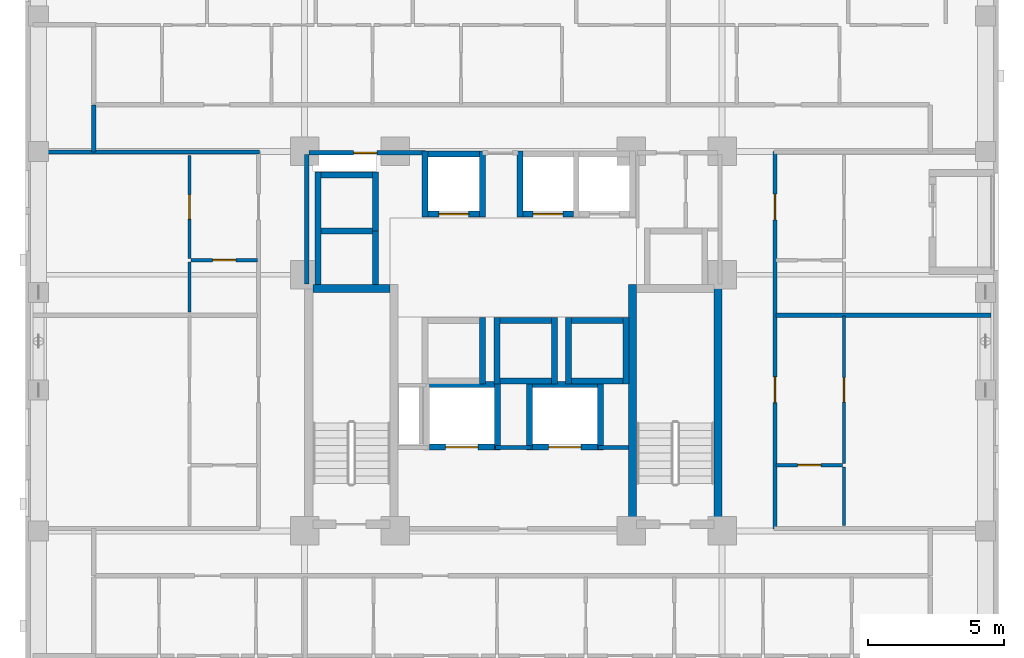
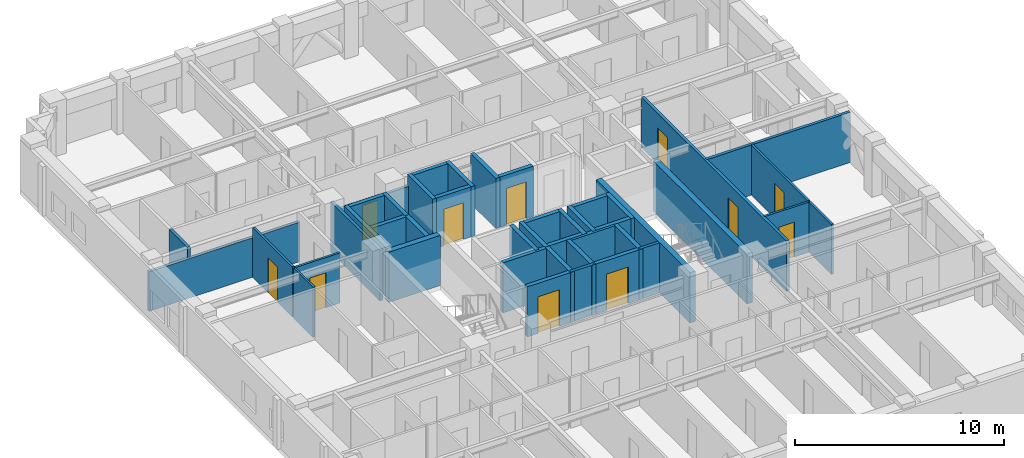
# One storey, part 5 of 12: 44 walls, 11 doors, 11 openings.
"""IFC4 building model written with IfcOpenShell, lengths in metres."""

from ifc_helpers import new_model, si_unit, derived_unit, direction, frame, frame_2d, origin, place, context, subcontext, project, spatial, rectangle, extrude, material, layer, layer_set, type_object, element, fill, save


model = new_model("IFC4")

# Units and contexts
model_context = context("Model", 3, precision=1e-05, world=origin(), true_north=direction((0.0, 1.0)))
body_context = subcontext(model_context, "Body", "Model", "MODEL_VIEW")
ifc_project = project(units=[si_unit("LENGTHUNIT", "METRE"), si_unit("AREAUNIT", "SQUARE_METRE"), si_unit("VOLUMEUNIT", "CUBIC_METRE"), si_unit("PLANEANGLEUNIT", "RADIAN"), si_unit("MASSUNIT", "GRAM", prefix="KILO"), derived_unit("THERMALTRANSMITTANCEUNIT", [(si_unit("MASSUNIT", "GRAM", prefix="KILO"), 1), (si_unit("TIMEUNIT", "SECOND"), -3), (si_unit("THERMODYNAMICTEMPERATUREUNIT", "KELVIN"), -1)])], contexts=[model_context])

# Site, building, storey
site_placement = place(None, origin())
site = spatial("IfcSite", under=ifc_project, at=site_placement, CompositionType="ELEMENT")
building_placement = place(site_placement, origin())
building = spatial("IfcBuilding", under=site, at=building_placement, Name="Korrvale Station Residences", CompositionType="ELEMENT")
storey_placement = place(building_placement, frame((0.0, 0.0, 113.5)))
storey = spatial("IfcBuildingStorey", under=building, at=storey_placement, Name="L32", CompositionType="ELEMENT", Elevation=113.5)

# Walls
ifc_material_1 = material(Name="Concrete C60/75", Category="concrete")
ifc_layer_1 = layer(ifc_material_1, 0.300048828125, Name="Concrete C60/75")
ifc_layer_set_1 = layer_set([ifc_layer_1], Name="Concrete C60/75")
wall_type_1 = type_object("IfcWallType", Name="WAL-CORE-300-C60", PredefinedType="SHEAR", material=ifc_layer_set_1)
wall_1_placement = place(storey_placement, frame((18.10009765625, 23.949951171875, 0.0), z_axis=(0.0, 0.0, 1.0), x_axis=(1.0, 0.0, 0.0)))
element("IfcWall", 1, at=wall_1_placement, inside=storey, type_object=wall_type_1, Name="L32 ST-1 Core Shear Wall North", PredefinedType="SHEAR", context=body_context, shape_type="SweptSolid", body=[
    extrude(rectangle(XDim=2.849853515625, YDim=0.300048828125, at=frame_2d((1.4248046875, 0.0))), origin(), (0.0, 0.0, 1.0), 2.93994140625),
])
for number, where, z_axis, x_axis, name in (
    (2, (29.89990234375, 15.10009765625, 0.0), (0.0, 0.0, 1.0), (0.0, 1.0, 0.0), "L32 ST-2 Core Shear Wall West"),
    (3, (33.050048828125, 15.10009765625, 0.0), (0.0, 0.0, 1.0), (0.0, 1.0, 0.0), "L32 ST-2 Core Shear Wall East"),
):
    element("IfcWall", number, at=place(storey_placement, frame(where, z_axis=z_axis, x_axis=x_axis)), inside=storey, type_object=wall_type_1, Name=name, PredefinedType="SHEAR", context=body_context, shape_type="SweptSolid", body=[
        extrude(rectangle(XDim=9.0, YDim=0.300048828125, at=frame_2d((4.5, 0.0))), origin(), (0.0, 0.0, 1.0), 2.93994140625),
    ])

# Wall, opening, door
ifc_material_2 = material(Name="Acoustic steel-stud gypsum board partition", Category="steel")
ifc_layer_2 = layer(ifc_material_2, 0.1201171875, Name="Acoustic steel-stud gypsum board partition")
ifc_layer_set_2 = layer_set([ifc_layer_2], Name="Acoustic steel-stud gypsum board partition")
wall_type_2 = type_object("IfcWallType", Name="WAL-PART-125", PredefinedType="PARTITIONING", material=ifc_layer_set_2)
wall_2_placement = place(storey_placement, frame((13.610107421875, 24.991943359375, 0.0), z_axis=(0.0, 0.0, 1.0), x_axis=(1.0, 0.0, 0.0)))
wall_2 = element("IfcWall", 4, at=wall_2_placement, inside=storey, type_object=wall_type_2, Name="L32 Suite Partition U06-H01", PredefinedType="PARTITIONING", context=body_context, shape_type="SweptSolid", body=[
    extrude(rectangle(XDim=2.449951171875, YDim=0.1201171875, at=frame_2d((1.22509765625, 0.0))), origin(), (0.0, 0.0, 1.0), 2.93994140625),
])
opening_1_placement = place(wall_2_placement, frame((0.794921875, 0.0, 0.0)))
opening_1 = element("IfcOpeningElement", 5, at=opening_1_placement, cuts=wall_2, Name="Opening DB-860", PredefinedType="OPENING", context=body_context, shape_type="SweptSolid", body=[
    extrude(rectangle(XDim=0.860107421875, YDim=2.050048828125, at=frame_2d((0.43017578125, 1.02490234375))), frame((0.0, 0.070068359375, 0.0), z_axis=(0.0, -1.0, 0.0), x_axis=(1.0, 0.0, 0.0)), (0.0, 0.0, 1.0), 0.14013671875),
])
ifc_material_3 = material(Name="Moisture-resistant solid-core bathroom door", Category="timber")
door_type_1 = type_object("IfcDoorType", Name="DR-BATH-860", OperationType="NOTDEFINED", PredefinedType="DOOR", material=ifc_material_3)
door_1_placement = place(opening_1_placement, origin())
door_1 = element("IfcDoor", 6, at=door_1_placement, inside=storey, type_object=door_type_1, Name="L32 Studio Apartment L32-U06 Bathroom Door", OperationType="SINGLE_SWING_RIGHT", OverallHeight=2.050048828125, OverallWidth=0.860107421875, PredefinedType="DOOR", context=body_context, shape_type="SweptSolid", body=[
    extrude(rectangle(XDim=0.860107421875, YDim=2.050048828125, at=frame_2d((0.43017578125, 1.02490234375))), frame((0.0, 0.02490234375, 0.0), z_axis=(0.0, -1.0, 0.0), x_axis=(1.0, 0.0, 0.0)), (0.0, 0.0, 1.0), 0.050048828125),
])
fill(opening_1, door_1)

# Wall
wall_3_placement = place(storey_placement, frame((13.550048828125, 23.08203125, 0.0), z_axis=(0.0, 0.0, 1.0), x_axis=(0.0, 1.0, 0.0)))
element("IfcWall", 7, at=wall_3_placement, inside=storey, type_object=wall_type_2, Name="L32 Suite Partition U06-V02", PredefinedType="PARTITIONING", context=body_context, shape_type="SweptSolid", body=[
    extrude(rectangle(XDim=1.849853515625, YDim=0.1201171875, at=frame_2d((0.9248046875, 0.0))), origin(), (0.0, 0.0, 1.0), 2.93994140625),
])

# Wall, opening, door
wall_4_placement = place(storey_placement, frame((13.550048828125, 25.052001953125, 0.0), z_axis=(0.0, 0.0, 1.0), x_axis=(0.0, 1.0, 0.0)))
wall_4 = element("IfcWall", 8, at=wall_4_placement, inside=storey, type_object=wall_type_2, Name="L32 Suite Partition U06-V12", PredefinedType="PARTITIONING", context=body_context, shape_type="SweptSolid", body=[
    extrude(rectangle(XDim=3.80810546875, YDim=0.1201171875, at=frame_2d((1.904052734375, 0.0))), origin(), (0.0, 0.0, 1.0), 2.93994140625),
])
opening_2_placement = place(wall_4_placement, frame((1.4541015625, 0.0, 0.0)))
opening_2 = element("IfcOpeningElement", 9, at=opening_2_placement, cuts=wall_4, Name="Opening DI-900", PredefinedType="OPENING", context=body_context, shape_type="SweptSolid", body=[
    extrude(rectangle(XDim=0.89990234375, YDim=2.050048828125, at=frame_2d((0.449951171875, 1.02490234375))), frame((0.0, 0.070068359375, 0.0), z_axis=(0.0, -1.0, 0.0), x_axis=(1.0, 0.0, 0.0)), (0.0, 0.0, 1.0), 0.14013671875),
])
ifc_material_4 = material(Name="Painted solid-core timber interior room door", Category="wood")
door_type_2 = type_object("IfcDoorType", Name="DR-INT-900", OperationType="NOTDEFINED", PredefinedType="DOOR", material=ifc_material_4)
door_2_placement = place(opening_2_placement, origin())
door_2 = element("IfcDoor", 10, at=door_2_placement, inside=storey, type_object=door_type_2, Name="L32 Studio Apartment L32-U06 Kitchen Door", OperationType="SINGLE_SWING_LEFT", OverallHeight=2.050048828125, OverallWidth=0.89990234375, PredefinedType="DOOR", context=body_context, shape_type="SweptSolid", body=[
    extrude(rectangle(XDim=0.89990234375, YDim=2.050048828125, at=frame_2d((0.449951171875, 1.02490234375))), frame((0.0, 0.02490234375, 0.0), z_axis=(0.0, -1.0, 0.0), x_axis=(1.0, 0.0, 0.0)), (0.0, 0.0, 1.0), 0.050048828125),
])
fill(opening_2, door_2)

wall_5_placement = place(storey_placement, frame((35.18994140625, 17.428955078125, 0.0), z_axis=(0.0, 0.0, 1.0), x_axis=(1.0, 0.0, 0.0)))
wall_5 = element("IfcWall", 11, at=wall_5_placement, inside=storey, type_object=wall_type_2, Name="L32 Suite Partition U07-H01", PredefinedType="PARTITIONING", context=body_context, shape_type="SweptSolid", body=[
    extrude(rectangle(XDim=2.449951171875, YDim=0.1201171875, at=frame_2d((1.22509765625, 0.0))), origin(), (0.0, 0.0, 1.0), 2.93994140625),
])
opening_3_placement = place(wall_5_placement, frame((0.794921875, 0.0, 0.0)))
opening_3 = element("IfcOpeningElement", 12, at=opening_3_placement, cuts=wall_5, Name="Opening DB-860", PredefinedType="OPENING", context=body_context, shape_type="SweptSolid", body=[
    extrude(rectangle(XDim=0.860107421875, YDim=2.050048828125, at=frame_2d((0.43017578125, 1.02490234375))), frame((0.0, 0.070068359375, 0.0), z_axis=(0.0, -1.0, 0.0), x_axis=(1.0, 0.0, 0.0)), (0.0, 0.0, 1.0), 0.14013671875),
])
door_3_placement = place(opening_3_placement, origin())
door_3 = element("IfcDoor", 13, at=door_3_placement, inside=storey, type_object=door_type_1, Name="L32 Studio Apartment L32-U07 Bathroom Door", OperationType="SINGLE_SWING_RIGHT", OverallHeight=2.050048828125, OverallWidth=0.860107421875, PredefinedType="DOOR", context=body_context, shape_type="SweptSolid", body=[
    extrude(rectangle(XDim=0.860107421875, YDim=2.050048828125, at=frame_2d((0.43017578125, 1.02490234375))), frame((0.0, 0.02490234375, 0.0), z_axis=(0.0, -1.0, 0.0), x_axis=(1.0, 0.0, 0.0)), (0.0, 0.0, 1.0), 0.050048828125),
])
fill(opening_3, door_3)

# Wall
wall_6_placement = place(storey_placement, frame((37.699951171875, 15.2099609375, 0.0), z_axis=(0.0, 0.0, 1.0), x_axis=(0.0, 1.0, 0.0)))
element("IfcWall", 14, at=wall_6_placement, inside=storey, type_object=wall_type_2, Name="L32 Suite Partition U07-V02", PredefinedType="PARTITIONING", context=body_context, shape_type="SweptSolid", body=[
    extrude(rectangle(XDim=2.158935546875, YDim=0.1201171875, at=frame_2d((1.07958984375, 0.0))), origin(), (0.0, 0.0, 1.0), 2.93994140625),
])

# Wall, opening, door
wall_7_placement = place(storey_placement, frame((37.699951171875, 17.489013671875, 0.0), z_axis=(0.0, 0.0, 1.0), x_axis=(0.0, 1.0, 0.0)))
wall_7 = element("IfcWall", 15, at=wall_7_placement, inside=storey, type_object=wall_type_2, Name="L32 Suite Partition U07-V12", PredefinedType="PARTITIONING", context=body_context, shape_type="SweptSolid", body=[
    extrude(rectangle(XDim=5.43310546875, YDim=0.1201171875, at=frame_2d((2.716552734375, 0.0))), origin(), (0.0, 0.0, 1.0), 2.93994140625),
])
opening_4_placement = place(wall_7_placement, frame((2.26611328125, 0.0, 0.0)))
opening_4 = element("IfcOpeningElement", 16, at=opening_4_placement, cuts=wall_7, Name="Opening DI-900", PredefinedType="OPENING", context=body_context, shape_type="SweptSolid", body=[
    extrude(rectangle(XDim=0.89990234375, YDim=2.050048828125, at=frame_2d((0.449951171875, 1.02490234375))), frame((0.0, 0.070068359375, 0.0), z_axis=(0.0, -1.0, 0.0), x_axis=(1.0, 0.0, 0.0)), (0.0, 0.0, 1.0), 0.14013671875),
])
door_4_placement = place(opening_4_placement, origin())
door_4 = element("IfcDoor", 17, at=door_4_placement, inside=storey, type_object=door_type_2, Name="L32 Studio Apartment L32-U07 Kitchen Door", OperationType="SINGLE_SWING_LEFT", OverallHeight=2.050048828125, OverallWidth=0.89990234375, PredefinedType="DOOR", context=body_context, shape_type="SweptSolid", body=[
    extrude(rectangle(XDim=0.89990234375, YDim=2.050048828125, at=frame_2d((0.449951171875, 1.02490234375))), frame((0.0, 0.02490234375, 0.0), z_axis=(0.0, -1.0, 0.0), x_axis=(1.0, 0.0, 0.0)), (0.0, 0.0, 1.0), 0.050048828125),
])
fill(opening_4, door_4)

# Walls
ifc_material_5 = material(Name="Fire-rated twin-stud gypsum and mineral wool shaftwall assembly", Category="gypsum")
ifc_layer_3 = layer(ifc_material_5, 0.159912109375, Name="Fire-rated twin-stud gypsum and mineral wool shaftwall assembly")
ifc_layer_set_3 = layer_set([ifc_layer_3], Name="Fire-rated twin-stud gypsum and mineral wool shaftwall assembly")
wall_type_3 = type_object("IfcWallType", Name="WAL-PART-200", PredefinedType="PARTITIONING", material=ifc_layer_set_3)
wall_8_placement = place(storey_placement, frame((24.85009765625, 18.080078125, 0.0), z_axis=(0.0, 0.0, 1.0), x_axis=(1.0, 0.0, 0.0)))
element("IfcWall", 18, at=wall_8_placement, inside=storey, type_object=wall_type_3, Name="L32 Core Partition CW-FFL-N2", PredefinedType="PARTITIONING", context=body_context, shape_type="SweptSolid", body=[
    extrude(rectangle(XDim=1.2998046875, YDim=0.159912109375, at=frame_2d((0.64990234375, 0.0))), origin(), (0.0, 0.0, 1.0), 2.93994140625),
])
wall_9_placement = place(storey_placement, frame((28.64990234375, 18.080078125, 0.0), z_axis=(0.0, 0.0, 1.0), x_axis=(1.0, 0.0, 0.0)))
element("IfcWall", 19, at=wall_9_placement, inside=storey, type_object=wall_type_3, Name="L32 Core Partition CW-FFL-N3", PredefinedType="PARTITIONING", context=body_context, shape_type="SweptSolid", body=[
    extrude(rectangle(XDim=1.10009765625, YDim=0.159912109375, at=frame_2d((0.550048828125, 0.0))), origin(), (0.0, 0.0, 1.0), 2.93994140625),
])
wall_10_placement = place(storey_placement, frame((17.8798828125, 24.1201171875, 0.0), z_axis=(0.0, 0.0, 1.0), x_axis=(0.0, 1.0, 0.0)))
element("IfcWall", 20, at=wall_10_placement, inside=storey, type_object=wall_type_3, Name="L32 Core Partition CW-W-N", PredefinedType="PARTITIONING", context=body_context, shape_type="SweptSolid", body=[
    extrude(rectangle(XDim=4.759765625, YDim=0.159912109375, at=frame_2d((2.3798828125, 0.0))), origin(), (0.0, 0.0, 1.0), 2.93994140625),
])

# Wall, opening, door
wall_11_placement = place(storey_placement, frame((17.9599609375, 28.949951171875, 0.0), z_axis=(0.0, 0.0, 1.0), x_axis=(1.0, 0.0, 0.0)))
wall_11 = element("IfcWall", 21, at=wall_11_placement, inside=storey, type_object=wall_type_3, Name="L32 Core Partition CW-NW", PredefinedType="PARTITIONING", context=body_context, shape_type="SweptSolid", body=[
    extrude(rectangle(XDim=4.2900390625, YDim=0.159912109375, at=frame_2d((2.14501953125, 0.0))), origin(), (0.0, 0.0, 1.0), 2.31298828125),
])
opening_5_placement = place(wall_11_placement, frame((1.64501953125, 0.0, 0.0)))
opening_5 = element("IfcOpeningElement", 22, at=opening_5_placement, cuts=wall_11, Name="Opening DB-860", PredefinedType="OPENING", context=body_context, shape_type="SweptSolid", body=[
    extrude(rectangle(XDim=0.860107421875, YDim=2.050048828125, at=frame_2d((0.43017578125, 1.02490234375))), frame((0.0, 0.08984375, 0.0), z_axis=(0.0, -1.0, 0.0), x_axis=(1.0, 0.0, 0.0)), (0.0, 0.0, 1.0), 0.179931640625),
])
door_5_placement = place(opening_5_placement, origin())
door_5 = element("IfcDoor", 23, at=door_5_placement, inside=storey, type_object=door_type_1, Name="L32 Electrical Riser Access Door", OperationType="SINGLE_SWING_RIGHT", OverallHeight=2.050048828125, OverallWidth=0.860107421875, PredefinedType="DOOR", context=body_context, shape_type="SweptSolid", body=[
    extrude(rectangle(XDim=0.860107421875, YDim=2.050048828125, at=frame_2d((0.43017578125, 1.02490234375))), frame((0.0, 0.02490234375, 0.0), z_axis=(0.0, -1.0, 0.0), x_axis=(1.0, 0.0, 0.0)), (0.0, 0.0, 1.0), 0.050048828125),
])
fill(opening_5, door_5)

# Walls
wall_12_placement = place(storey_placement, frame((10.02001953125, 28.97998046875, 0.0), z_axis=(0.0, 0.0, 1.0), x_axis=(0.0, 1.0, 0.0)))
element("IfcWall", 24, at=wall_12_placement, inside=storey, type_object=wall_type_3, Name="L32 Corridor North West Cap", PredefinedType="PARTITIONING", context=body_context, shape_type="SweptSolid", body=[
    extrude(rectangle(XDim=1.739990234375, YDim=0.159912109375, at=frame_2d((0.8701171875, 0.0))), origin(), (0.0, 0.0, 1.0), 2.93994140625),
])
wall_13_placement = place(storey_placement, frame((7.780029296875, 28.97998046875, 0.0), z_axis=(0.0, 0.0, 1.0), x_axis=(1.0, 0.0, 0.0)))
element("IfcWall", 25, at=wall_13_placement, inside=storey, type_object=wall_type_3, Name="L32 West Wing North Corridor Wall", PredefinedType="PARTITIONING", context=body_context, shape_type="SweptSolid", body=[
    extrude(rectangle(XDim=8.35986328125, YDim=0.159912109375, at=frame_2d((4.179931640625, 0.0))), origin(), (0.0, 0.0, 1.0), 2.31298828125),
])
wall_14_placement = place(storey_placement, frame((35.18994140625, 22.9619140625, 0.0), z_axis=(0.0, 0.0, 1.0), x_axis=(1.0, 0.0, 0.0)))
element("IfcWall", 26, at=wall_14_placement, inside=storey, type_object=wall_type_3, Name="L32 Demising Wall U07-N", PredefinedType="PARTITIONING", context=body_context, shape_type="SweptSolid", body=[
    extrude(rectangle(XDim=7.93017578125, YDim=0.159912109375, at=frame_2d((3.965087890625, 0.0))), origin(), (0.0, 0.0, 1.0), 2.93994140625),
])

# Wall, openings, doors
wall_15_placement = place(storey_placement, frame((35.14990234375, 15.070068359375, 0.0), z_axis=(0.0, 0.0, 1.0), x_axis=(0.0, 1.0, 0.0)))
wall_15 = element("IfcWall", 27, at=wall_15_placement, inside=storey, type_object=wall_type_3, Name="L32 Rated Corridor Wall E", PredefinedType="PARTITIONING", context=body_context, shape_type="SweptSolid", body=[
    extrude(rectangle(XDim=13.929931640625, YDim=0.159912109375, at=frame_2d((6.96484375, 0.0))), origin(), (0.0, 0.0, 1.0), 2.93994140625),
])
opening_6_placement = place(wall_15_placement, frame((4.660888671875, 0.0, 0.0)))
opening_6 = element("IfcOpeningElement", 28, at=opening_6_placement, cuts=wall_15, Name="Opening UD-950", PredefinedType="OPENING", context=body_context, shape_type="SweptSolid", body=[
    extrude(rectangle(XDim=0.949951171875, YDim=2.10009765625, at=frame_2d((0.47509765625, 1.050048828125))), frame((0.0, 0.08984375, 0.0), z_axis=(0.0, -1.0, 0.0), x_axis=(1.0, 0.0, 0.0)), (0.0, 0.0, 1.0), 0.179931640625),
])
opening_7_placement = place(wall_15_placement, frame((11.410888671875, 0.0, 0.0)))
opening_7 = element("IfcOpeningElement", 29, at=opening_7_placement, cuts=wall_15, Name="Opening UD-950", PredefinedType="OPENING", context=body_context, shape_type="SweptSolid", body=[
    extrude(rectangle(XDim=0.949951171875, YDim=2.10009765625, at=frame_2d((0.47509765625, 1.050048828125))), frame((0.0, 0.08984375, 0.0), z_axis=(0.0, -1.0, 0.0), x_axis=(1.0, 0.0, 0.0)), (0.0, 0.0, 1.0), 0.179931640625),
])
ifc_material_6 = material(Name="Solid-core acoustic oak apartment entrance door", Category="timber")
door_type_3 = type_object("IfcDoorType", Name="DR-UNIT-950", OperationType="NOTDEFINED", PredefinedType="DOOR", material=ifc_material_6)
door_6_placement = place(opening_6_placement, origin())
door_6 = element("IfcDoor", 30, at=door_6_placement, inside=storey, type_object=door_type_3, Name="L32 Apartment L32-U07 Entrance Door", OperationType="SINGLE_SWING_RIGHT", OverallHeight=2.10009765625, OverallWidth=0.949951171875, PredefinedType="DOOR", context=body_context, shape_type="SweptSolid", body=[
    extrude(rectangle(XDim=0.949951171875, YDim=2.10009765625, at=frame_2d((0.47509765625, 1.050048828125))), frame((0.0, 0.02490234375, 0.0), z_axis=(0.0, -1.0, 0.0), x_axis=(1.0, 0.0, 0.0)), (0.0, 0.0, 1.0), 0.050048828125),
])
fill(opening_6, door_6)
door_7_placement = place(opening_7_placement, origin())
door_7 = element("IfcDoor", 31, at=door_7_placement, inside=storey, type_object=door_type_3, Name="L32 Apartment L32-U08 Entrance Door", OperationType="SINGLE_SWING_LEFT", OverallHeight=2.10009765625, OverallWidth=0.949951171875, PredefinedType="DOOR", context=body_context, shape_type="SweptSolid", body=[
    extrude(rectangle(XDim=0.949951171875, YDim=2.10009765625, at=frame_2d((0.47509765625, 1.050048828125))), frame((0.0, 0.02490234375, 0.0), z_axis=(0.0, -1.0, 0.0), x_axis=(1.0, 0.0, 0.0)), (0.0, 0.0, 1.0), 0.050048828125),
])
fill(opening_7, door_7)

# Wall, opening, door
ifc_layer_4 = layer(ifc_material_1, 0.219970703125, Name="Concrete C60/75")
ifc_layer_set_4 = layer_set([ifc_layer_4], Name="Concrete C60/75")
wall_type_4 = type_object("IfcWallType", Name="WAL-SHAFT-220-C60", PredefinedType="SHEAR", material=ifc_layer_set_4)
wall_16_placement = place(storey_placement, frame((22.35009765625, 26.68994140625, 0.0), z_axis=(0.0, 0.0, 1.0), x_axis=(1.0, 0.0, 0.0)))
wall_16 = element("IfcWall", 32, at=wall_16_placement, inside=storey, type_object=wall_type_4, Name="L32 Elevator PL-1 Hoistway Wall South", PredefinedType="SHEAR", context=body_context, shape_type="SweptSolid", body=[
    extrude(rectangle(XDim=1.89990234375, YDim=0.219970703125, at=frame_2d((0.949951171875, 0.0))), origin(), (0.0, 0.0, 1.0), 2.93994140625),
])
opening_8_placement = place(wall_16_placement, frame((0.39990234375, 0.0, 0.0)))
opening_8 = element("IfcOpeningElement", 33, at=opening_8_placement, cuts=wall_16, Name="Opening LD-1100", PredefinedType="OPENING", context=body_context, shape_type="SweptSolid", body=[
    extrude(rectangle(XDim=1.10009765625, YDim=2.14990234375, at=frame_2d((0.550048828125, 1.074951171875))), frame((0.0, 0.1201171875, 0.0), z_axis=(0.0, -1.0, 0.0), x_axis=(1.0, 0.0, 0.0)), (0.0, 0.0, 1.0), 0.239990234375),
])
ifc_material_7 = material(Name="Brushed stainless-steel elevator landing sliding door", Category="steel")
door_type_4 = type_object("IfcDoorType", Name="DR-LIFT-1100", OperationType="SLIDING_TO_LEFT", PredefinedType="DOOR", material=ifc_material_7)
door_8_placement = place(opening_8_placement, origin())
door_8 = element("IfcDoor", 34, at=door_8_placement, inside=storey, type_object=door_type_4, Name="L32 Elevator PL-1 Sliding Landing Door", OperationType="SLIDING_TO_LEFT", OverallHeight=2.14990234375, OverallWidth=1.10009765625, PredefinedType="DOOR", context=body_context, shape_type="SweptSolid", body=[
    extrude(rectangle(XDim=1.10009765625, YDim=2.14990234375, at=frame_2d((0.550048828125, 1.074951171875))), frame((0.0, 0.02490234375, 0.0), z_axis=(0.0, -1.0, 0.0), x_axis=(1.0, 0.0, 0.0)), (0.0, 0.0, 1.0), 0.050048828125),
])
fill(opening_8, door_8)

# Walls
wall_17_placement = place(storey_placement, frame((22.35009765625, 28.909912109375, 0.0), z_axis=(0.0, 0.0, 1.0), x_axis=(1.0, 0.0, 0.0)))
element("IfcWall", 35, at=wall_17_placement, inside=storey, type_object=wall_type_4, Name="L32 Elevator PL-1 Hoistway Wall North", PredefinedType="SHEAR", context=body_context, shape_type="SweptSolid", body=[
    extrude(rectangle(XDim=1.89990234375, YDim=0.219970703125, at=frame_2d((0.949951171875, 0.0))), origin(), (0.0, 0.0, 1.0), 2.93994140625),
])
for number, where, z_axis, x_axis, name in (
    (36, (22.239990234375, 26.580078125, 0.0), (0.0, 0.0, 1.0), (0.0, 1.0, 0.0), "L32 Elevator PL-1 Hoistway Wall West"),
    (37, (24.360107421875, 26.580078125, 0.0), (0.0, 0.0, 1.0), (0.0, 1.0, 0.0), "L32 Elevator PL-1 Hoistway Wall East"),
):
    element("IfcWall", number, at=place(storey_placement, frame(where, z_axis=z_axis, x_axis=x_axis)), inside=storey, type_object=wall_type_4, Name=name, PredefinedType="SHEAR", context=body_context, shape_type="SweptSolid", body=[
        extrude(rectangle(XDim=2.43994140625, YDim=0.219970703125, at=frame_2d((1.219970703125, 0.0))), origin(), (0.0, 0.0, 1.0), 2.93994140625),
    ])

# Wall, opening, door
wall_18_placement = place(storey_placement, frame((25.85009765625, 26.68994140625, 0.0), z_axis=(0.0, 0.0, 1.0), x_axis=(1.0, 0.0, 0.0)))
wall_18 = element("IfcWall", 38, at=wall_18_placement, inside=storey, type_object=wall_type_4, Name="L32 Elevator PL-2 Hoistway Wall South", PredefinedType="SHEAR", context=body_context, shape_type="SweptSolid", body=[
    extrude(rectangle(XDim=1.85986328125, YDim=0.219970703125, at=frame_2d((0.929931640625, 0.0))), origin(), (0.0, 0.0, 1.0), 2.93994140625),
])
opening_9_placement = place(wall_18_placement, frame((0.3798828125, 0.0, 0.0)))
opening_9 = element("IfcOpeningElement", 39, at=opening_9_placement, cuts=wall_18, Name="Opening LD-1100", PredefinedType="OPENING", context=body_context, shape_type="SweptSolid", body=[
    extrude(rectangle(XDim=1.10009765625, YDim=2.14990234375, at=frame_2d((0.550048828125, 1.074951171875))), frame((0.0, 0.1201171875, 0.0), z_axis=(0.0, -1.0, 0.0), x_axis=(1.0, 0.0, 0.0)), (0.0, 0.0, 1.0), 0.239990234375),
])
door_9_placement = place(opening_9_placement, origin())
door_9 = element("IfcDoor", 40, at=door_9_placement, inside=storey, type_object=door_type_4, Name="L32 Elevator PL-2 Sliding Landing Door", OperationType="SLIDING_TO_LEFT", OverallHeight=2.14990234375, OverallWidth=1.10009765625, PredefinedType="DOOR", context=body_context, shape_type="SweptSolid", body=[
    extrude(rectangle(XDim=1.10009765625, YDim=2.14990234375, at=frame_2d((0.550048828125, 1.074951171875))), frame((0.0, 0.02490234375, 0.0), z_axis=(0.0, -1.0, 0.0), x_axis=(1.0, 0.0, 0.0)), (0.0, 0.0, 1.0), 0.050048828125),
])
fill(opening_9, door_9)

# Walls
wall_19_placement = place(storey_placement, frame((25.739990234375, 26.580078125, 0.0), z_axis=(0.0, 0.0, 1.0), x_axis=(0.0, 1.0, 0.0)))
element("IfcWall", 41, at=wall_19_placement, inside=storey, type_object=wall_type_4, Name="L32 Elevator PL-2 Hoistway Wall West", PredefinedType="SHEAR", context=body_context, shape_type="SweptSolid", body=[
    extrude(rectangle(XDim=2.43994140625, YDim=0.219970703125, at=frame_2d((1.219970703125, 0.0))), origin(), (0.0, 0.0, 1.0), 2.93994140625),
])
wall_20_placement = place(storey_placement, frame((24.360107421875, 20.429931640625, 0.0), z_axis=(0.0, 0.0, 1.0), x_axis=(0.0, 1.0, 0.0)))
element("IfcWall", 42, at=wall_20_placement, inside=storey, type_object=wall_type_4, Name="L32 Elevator PM-1 Hoistway Wall East", PredefinedType="SHEAR", context=body_context, shape_type="SweptSolid", body=[
    extrude(rectangle(XDim=2.440185546875, YDim=0.219970703125, at=frame_2d((1.22021484375, 0.0))), origin(), (0.0, 0.0, 1.0), 2.93994140625),
])
for number, where, z_axis, x_axis, name in (
    (43, (25.0, 20.5400390625, 0.0), (0.0, 0.0, 1.0), (1.0, 0.0, 0.0), "L32 Elevator PM-2 Hoistway Wall South"),
    (44, (25.0, 22.760009765625, 0.0), (0.0, 0.0, 1.0), (1.0, 0.0, 0.0), "L32 Elevator PM-2 Hoistway Wall North"),
):
    element("IfcWall", number, at=place(storey_placement, frame(where, z_axis=z_axis, x_axis=x_axis)), inside=storey, type_object=wall_type_4, Name=name, PredefinedType="SHEAR", context=body_context, shape_type="SweptSolid", body=[
        extrude(rectangle(XDim=1.89990234375, YDim=0.219970703125, at=frame_2d((0.949951171875, 0.0))), origin(), (0.0, 0.0, 1.0), 2.93994140625),
    ])
for number, where, z_axis, x_axis, name in (
    (45, (24.889892578125, 20.429931640625, 0.0), (0.0, 0.0, 1.0), (0.0, 1.0, 0.0), "L32 Elevator PM-2 Hoistway Wall West"),
    (46, (27.010009765625, 20.429931640625, 0.0), (0.0, 0.0, 1.0), (0.0, 1.0, 0.0), "L32 Elevator PM-2 Hoistway Wall East"),
):
    element("IfcWall", number, at=place(storey_placement, frame(where, z_axis=z_axis, x_axis=x_axis)), inside=storey, type_object=wall_type_4, Name=name, PredefinedType="SHEAR", context=body_context, shape_type="SweptSolid", body=[
        extrude(rectangle(XDim=2.440185546875, YDim=0.219970703125, at=frame_2d((1.22021484375, 0.0))), origin(), (0.0, 0.0, 1.0), 2.93994140625),
    ])
for number, where, z_axis, x_axis, name in (
    (47, (27.64990234375, 20.5400390625, 0.0), (0.0, 0.0, 1.0), (1.0, 0.0, 0.0), "L32 Elevator PM-3 Hoistway Wall South"),
    (48, (27.64990234375, 22.760009765625, 0.0), (0.0, 0.0, 1.0), (1.0, 0.0, 0.0), "L32 Elevator PM-3 Hoistway Wall North"),
):
    element("IfcWall", number, at=place(storey_placement, frame(where, z_axis=z_axis, x_axis=x_axis)), inside=storey, type_object=wall_type_4, Name=name, PredefinedType="SHEAR", context=body_context, shape_type="SweptSolid", body=[
        extrude(rectangle(XDim=1.900146484375, YDim=0.219970703125, at=frame_2d((0.9501953125, 0.0))), origin(), (0.0, 0.0, 1.0), 2.93994140625),
    ])
for number, where, z_axis, x_axis, name in (
    (49, (27.5400390625, 20.429931640625, 0.0), (0.0, 0.0, 1.0), (0.0, 1.0, 0.0), "L32 Elevator PM-3 Hoistway Wall West"),
    (50, (29.659912109375, 20.429931640625, 0.0), (0.0, 0.0, 1.0), (0.0, 1.0, 0.0), "L32 Elevator PM-3 Hoistway Wall East"),
):
    element("IfcWall", number, at=place(storey_placement, frame(where, z_axis=z_axis, x_axis=x_axis)), inside=storey, type_object=wall_type_4, Name=name, PredefinedType="SHEAR", context=body_context, shape_type="SweptSolid", body=[
        extrude(rectangle(XDim=2.440185546875, YDim=0.219970703125, at=frame_2d((1.22021484375, 0.0))), origin(), (0.0, 0.0, 1.0), 2.93994140625),
    ])
wall_21_placement = place(storey_placement, frame((18.2900390625, 24.10009765625, 0.0), z_axis=(0.0, 0.0, 1.0), x_axis=(0.0, 1.0, 0.0)))
element("IfcWall", 51, at=wall_21_placement, inside=storey, type_object=wall_type_4, Name="L32 Elevator PH-1 Hoistway Wall West", PredefinedType="SHEAR", context=body_context, shape_type="SweptSolid", body=[
    extrude(rectangle(XDim=4.139892578125, YDim=0.219970703125, at=frame_2d((2.06982421875, 0.0))), origin(), (0.0, 0.0, 1.0), 2.93994140625),
])
wall_22_placement = place(storey_placement, frame((20.409912109375, 24.10009765625, 0.0), z_axis=(0.0, 0.0, 1.0), x_axis=(0.0, 1.0, 0.0)))
element("IfcWall", 52, at=wall_22_placement, inside=storey, type_object=wall_type_4, Name="L32 Elevator PH-1 Hoistway Wall East", PredefinedType="SHEAR", context=body_context, shape_type="SweptSolid", body=[
    extrude(rectangle(XDim=1.9599609375, YDim=0.219970703125, at=frame_2d((0.97998046875, 0.0))), origin(), (0.0, 0.0, 1.0), 2.93994140625),
])
for number, where, z_axis, x_axis, name in (
    (53, (18.39990234375, 26.06005859375, 0.0), (0.0, 0.0, 1.0), (1.0, 0.0, 0.0), "L32 Elevator PH-2 Hoistway Wall South"),
    (54, (18.39990234375, 28.1298828125, 0.0), (0.0, 0.0, 1.0), (1.0, 0.0, 0.0), "L32 Elevator PH-2 Hoistway Wall North"),
):
    element("IfcWall", number, at=place(storey_placement, frame(where, z_axis=z_axis, x_axis=x_axis)), inside=storey, type_object=wall_type_4, Name=name, PredefinedType="SHEAR", context=body_context, shape_type="SweptSolid", body=[
        extrude(rectangle(XDim=1.900146484375, YDim=0.219970703125, at=frame_2d((0.9501953125, 0.0))), origin(), (0.0, 0.0, 1.0), 2.93994140625),
    ])
wall_23_placement = place(storey_placement, frame((20.409912109375, 26.06005859375, 0.0), z_axis=(0.0, 0.0, 1.0), x_axis=(0.0, 1.0, 0.0)))
element("IfcWall", 55, at=wall_23_placement, inside=storey, type_object=wall_type_4, Name="L32 Elevator PH-2 Hoistway Wall East", PredefinedType="SHEAR", context=body_context, shape_type="SweptSolid", body=[
    extrude(rectangle(XDim=2.179931640625, YDim=0.219970703125, at=frame_2d((1.08984375, 0.0))), origin(), (0.0, 0.0, 1.0), 2.93994140625),
])

# Wall, opening, door
wall_24_placement = place(storey_placement, frame((22.39990234375, 18.090087890625, 0.0), z_axis=(0.0, 0.0, 1.0), x_axis=(1.0, 0.0, 0.0)))
wall_24 = element("IfcWall", 56, at=wall_24_placement, inside=storey, type_object=wall_type_4, Name="L32 Elevator FFL-1 Hoistway Wall South", PredefinedType="SHEAR", context=body_context, shape_type="SweptSolid", body=[
    extrude(rectangle(XDim=2.400146484375, YDim=0.219970703125, at=frame_2d((1.2001953125, 0.0))), origin(), (0.0, 0.0, 1.0), 2.93994140625),
])
opening_10_placement = place(wall_24_placement, frame((0.60009765625, 0.0, 0.0)))
opening_10 = element("IfcOpeningElement", 57, at=opening_10_placement, cuts=wall_24, Name="Opening LD-FF1200", PredefinedType="OPENING", context=body_context, shape_type="SweptSolid", body=[
    extrude(rectangle(XDim=1.199951171875, YDim=2.14990234375, at=frame_2d((0.60009765625, 1.074951171875))), frame((0.0, 0.1201171875, 0.0), z_axis=(0.0, -1.0, 0.0), x_axis=(1.0, 0.0, 0.0)), (0.0, 0.0, 1.0), 0.239990234375),
])
ifc_material_8 = material(Name="Stainless-steel firefighter elevator landing sliding door", Category="steel")
door_type_5 = type_object("IfcDoorType", Name="DR-LIFT-FF1200", OperationType="SLIDING_TO_LEFT", PredefinedType="DOOR", material=ifc_material_8)
door_10_placement = place(opening_10_placement, origin())
door_10 = element("IfcDoor", 58, at=door_10_placement, inside=storey, type_object=door_type_5, Name="L32 Elevator FFL-1 Sliding Landing Door", OperationType="SLIDING_TO_LEFT", OverallHeight=2.14990234375, OverallWidth=1.199951171875, PredefinedType="DOOR", context=body_context, shape_type="SweptSolid", body=[
    extrude(rectangle(XDim=1.199951171875, YDim=2.14990234375, at=frame_2d((0.60009765625, 1.074951171875))), frame((0.0, 0.02490234375, 0.0), z_axis=(0.0, -1.0, 0.0), x_axis=(1.0, 0.0, 0.0)), (0.0, 0.0, 1.0), 0.050048828125),
])
fill(opening_10, door_10)

# Walls
wall_25_placement = place(storey_placement, frame((22.39990234375, 20.409912109375, 0.0), z_axis=(0.0, 0.0, 1.0), x_axis=(1.0, 0.0, 0.0)))
element("IfcWall", 59, at=wall_25_placement, inside=storey, type_object=wall_type_4, Name="L32 Elevator FFL-1 Hoistway Wall North", PredefinedType="SHEAR", context=body_context, shape_type="SweptSolid", body=[
    extrude(rectangle(XDim=2.400146484375, YDim=0.219970703125, at=frame_2d((1.2001953125, 0.0))), origin(), (0.0, 0.0, 1.0), 2.93994140625),
])
wall_26_placement = place(storey_placement, frame((24.909912109375, 17.97998046875, 0.0), z_axis=(0.0, 0.0, 1.0), x_axis=(0.0, 1.0, 0.0)))
element("IfcWall", 60, at=wall_26_placement, inside=storey, type_object=wall_type_4, Name="L32 Elevator FFL-1 Hoistway Wall East", PredefinedType="SHEAR", context=body_context, shape_type="SweptSolid", body=[
    extrude(rectangle(XDim=2.5400390625, YDim=0.219970703125, at=frame_2d((1.27001953125, 0.0))), origin(), (0.0, 0.0, 1.0), 2.93994140625),
])

# Wall, opening, door
wall_27_placement = place(storey_placement, frame((26.199951171875, 18.090087890625, 0.0), z_axis=(0.0, 0.0, 1.0), x_axis=(1.0, 0.0, 0.0)))
wall_27 = element("IfcWall", 61, at=wall_27_placement, inside=storey, type_object=wall_type_4, Name="L32 Elevator FFL-2 Hoistway Wall South", PredefinedType="SHEAR", context=body_context, shape_type="SweptSolid", body=[
    extrude(rectangle(XDim=2.400146484375, YDim=0.219970703125, at=frame_2d((1.2001953125, 0.0))), origin(), (0.0, 0.0, 1.0), 2.93994140625),
])
opening_11_placement = place(wall_27_placement, frame((0.60009765625, 0.0, 0.0)))
opening_11 = element("IfcOpeningElement", 62, at=opening_11_placement, cuts=wall_27, Name="Opening LD-FF1200", PredefinedType="OPENING", context=body_context, shape_type="SweptSolid", body=[
    extrude(rectangle(XDim=1.199951171875, YDim=2.14990234375, at=frame_2d((0.60009765625, 1.074951171875))), frame((0.0, 0.1201171875, 0.0), z_axis=(0.0, -1.0, 0.0), x_axis=(1.0, 0.0, 0.0)), (0.0, 0.0, 1.0), 0.239990234375),
])
door_11_placement = place(opening_11_placement, origin())
door_11 = element("IfcDoor", 63, at=door_11_placement, inside=storey, type_object=door_type_5, Name="L32 Elevator FFL-2 Sliding Landing Door", OperationType="SLIDING_TO_LEFT", OverallHeight=2.14990234375, OverallWidth=1.199951171875, PredefinedType="DOOR", context=body_context, shape_type="SweptSolid", body=[
    extrude(rectangle(XDim=1.199951171875, YDim=2.14990234375, at=frame_2d((0.60009765625, 1.074951171875))), frame((0.0, 0.02490234375, 0.0), z_axis=(0.0, -1.0, 0.0), x_axis=(1.0, 0.0, 0.0)), (0.0, 0.0, 1.0), 0.050048828125),
])
fill(opening_11, door_11)

# Walls
wall_28_placement = place(storey_placement, frame((26.199951171875, 20.409912109375, 0.0), z_axis=(0.0, 0.0, 1.0), x_axis=(1.0, 0.0, 0.0)))
element("IfcWall", 64, at=wall_28_placement, inside=storey, type_object=wall_type_4, Name="L32 Elevator FFL-2 Hoistway Wall North", PredefinedType="SHEAR", context=body_context, shape_type="SweptSolid", body=[
    extrude(rectangle(XDim=2.400146484375, YDim=0.219970703125, at=frame_2d((1.2001953125, 0.0))), origin(), (0.0, 0.0, 1.0), 2.93994140625),
])
for number, where, z_axis, x_axis, name in (
    (65, (26.090087890625, 17.97998046875, 0.0), (0.0, 0.0, 1.0), (0.0, 1.0, 0.0), "L32 Elevator FFL-2 Hoistway Wall West"),
    (66, (28.7099609375, 17.97998046875, 0.0), (0.0, 0.0, 1.0), (0.0, 1.0, 0.0), "L32 Elevator FFL-2 Hoistway Wall East"),
):
    element("IfcWall", number, at=place(storey_placement, frame(where, z_axis=z_axis, x_axis=x_axis)), inside=storey, type_object=wall_type_4, Name=name, PredefinedType="SHEAR", context=body_context, shape_type="SweptSolid", body=[
        extrude(rectangle(XDim=2.5400390625, YDim=0.219970703125, at=frame_2d((1.27001953125, 0.0))), origin(), (0.0, 0.0, 1.0), 2.93994140625),
    ])

save(model, "model.ifc")
